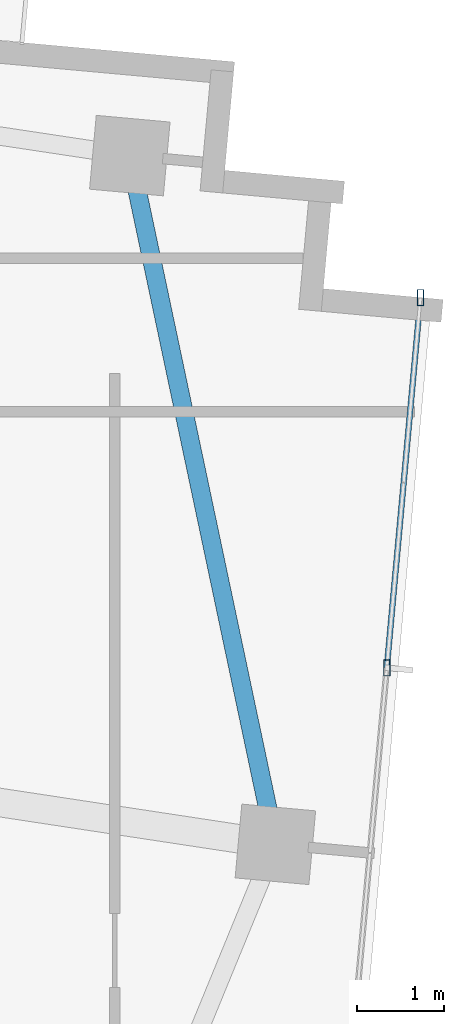
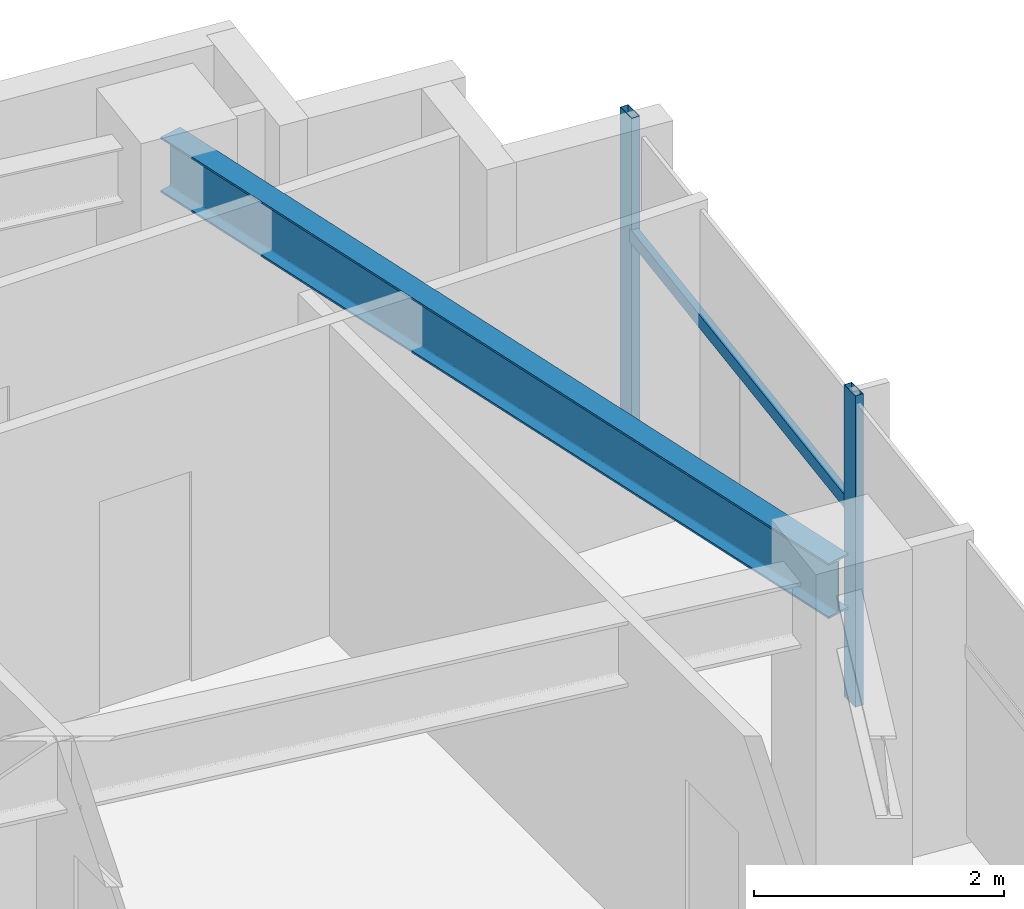
# One storey, part 14 of 22: 3 members, 1 beam, 1 element without a shape of its own.
"""IFC4 building model written with IfcOpenShell, lengths in metres."""

from ifc_helpers import new_model, si_unit, direction, frame, origin, origin_2d, place, context, subcontext, project, spatial, hollow_rectangle, i_section, extrude, source, transform, mapped, material, material_profile, profile_set, type_object, type_shapes, element, aggregate, save


model = new_model("IFC4")

# Units and contexts
model_context = context("Model", 3, precision=1e-05, world=origin(), true_north=direction((0.0, 1.0)))
body_context = subcontext(model_context, "Body", "Model", "MODEL_VIEW")
ifc_project = project(units=[si_unit("LENGTHUNIT", "METRE"), si_unit("AREAUNIT", "SQUARE_METRE"), si_unit("VOLUMEUNIT", "CUBIC_METRE"), si_unit("PLANEANGLEUNIT", "RADIAN"), si_unit("MASSUNIT", "GRAM", prefix="KILO")], contexts=[model_context])

# Site, building, storey
site_placement = place(None, origin())
site = spatial("IfcSite", under=ifc_project, at=site_placement, CompositionType="ELEMENT")
building_placement = place(site_placement, origin())
building = spatial("IfcBuilding", under=site, at=building_placement, Name="Astriad Promenade Condominiums", CompositionType="ELEMENT")
storey_placement = place(building_placement, frame((0.0, 0.0, 226.5)))
storey = spatial("IfcBuildingStorey", under=building, at=storey_placement, Name="L65", CompositionType="ELEMENT", Elevation=226.5)

# Beam
ifc_material_1 = material(Name="Steel ASTM A992 Grade 50", Category="steel")
ifc_material_profile_1 = material_profile(ifc_material_1, i_section(OverallWidth=0.210693359375, OverallDepth=0.53955078125, WebThickness=0.01171875, FlangeThickness=0.018798828125, FilletRadius=0.0166015625, at=origin_2d()), Name="W21X73")
ifc_profile_set_1 = profile_set([ifc_material_profile_1], Name="Steel ASTM A992 Grade 50")
beam_type = type_object("IfcBeamType", Name="STEEL SPANDREL BEAM W21X73", PredefinedType="SPANDREL", material=ifc_profile_set_1)
shared_shape_1 = source(origin(), body_context, "Body", "SweptSolid", [
    extrude(i_section(OverallWidth=0.210693359375, OverallDepth=0.53955078125, WebThickness=0.01171875, FlangeThickness=0.018798828125, FilletRadius=0.0166015625, at=origin_2d()), origin(), (0.0, 0.0, 1.0), 7.99853515625),
])
type_shapes(beam_type, [shared_shape_1])
beam_placement = place(storey_placement, frame((54.88037109375, 16.02880859375, 2.770263671875), z_axis=(-0.20676418926, 0.978390806396, 0.0), x_axis=(-0.978390806396, -0.20676418926, 0.0)))
element("IfcBeam", 1, at=beam_placement, inside=storey, type_object=beam_type, Name="Perimeter Spandrel Beam SP-E2-L65", PredefinedType="SPANDREL", context=body_context, shape_type="MappedRepresentation", body=[
    mapped(shared_shape_1, transform((0.0, 0.0, 0.0), scale=1.0)),
])

# Curtain wall, members
ifc_material_2 = material(Name="Anodised aluminium Black Dark Glass Unitised", Category="aluminium")
curtain_wall_type = type_object("IfcCurtainWallType", Name="CW-B5-DARK", PredefinedType="USERDEFINED", material=ifc_material_2)
curtain_wall_placement = place(storey_placement, origin())
curtain_wall = element("IfcCurtainWall", 2, at=curtain_wall_placement, inside=storey, type_object=curtain_wall_type, Name="CW-L65-E", ObjectType="UNITISED_CURTAIN_WALL", PredefinedType="USERDEFINED")
ifc_material_3 = material(Name="Anodised aluminium 6063-T6 Black", Category="aluminium")
ifc_material_profile_2 = material_profile(ifc_material_3, hollow_rectangle(XDim=0.06494140625, YDim=0.1298828125, WallThickness=0.00390625, at=origin_2d()), Name="ALU-TRN-65X130")
ifc_profile_set_2 = profile_set([ifc_material_profile_2], Name="Anodised aluminium 6063-T6 Black")
member_type_1 = type_object("IfcMemberType", Name="TRN-ALU-TRN-65X130", PredefinedType="USERDEFINED", material=ifc_profile_set_2)
shared_shape_2 = source(origin(), body_context, "Body", "SweptSolid", [
    extrude(hollow_rectangle(XDim=0.06494140625, YDim=0.1298828125, WallThickness=0.00390625, at=origin_2d()), origin(), (0.0, 0.0, 1.0), 4.2666015625),
])
type_shapes(member_type_1, [shared_shape_2])
member_1_placement = place(storey_placement, frame((56.55419921875, 22.2646484375, 1.884765625), z_axis=(-0.090638931954, -0.99588382054, 0.0), x_axis=(0.99588382054, -0.090638931954, 0.0)))
member_1 = element("IfcMember", 3, at=member_1_placement, type_object=member_type_1, Name="CW-L65-E-TRN-00-0", ObjectType="TRANSOM", PredefinedType="USERDEFINED", context=body_context, shape_type="MappedRepresentation", body=[
    mapped(shared_shape_2, transform((0.0, 0.0, 0.0), scale=1.0)),
])
ifc_material_profile_3 = material_profile(ifc_material_3, hollow_rectangle(XDim=0.074951171875, YDim=0.18505859375, WallThickness=0.00439453125, at=origin_2d()), Name="ALU-MUL-75X185")
ifc_profile_set_3 = profile_set([ifc_material_profile_3], Name="Anodised aluminium 6063-T6 Black")
member_type_2 = type_object("IfcMemberType", Name="MUL-ALU-MUL-75X185", PredefinedType="MULLION", material=ifc_profile_set_3)
shared_shape_3 = source(origin(), body_context, "Body", "SweptSolid", [
    extrude(hollow_rectangle(XDim=0.074951171875, YDim=0.18505859375, WallThickness=0.00439453125, at=origin_2d()), origin(), (0.0, 0.0, 1.0), 3.0400390625),
])
type_shapes(member_type_2, [shared_shape_3])
member_2_placement = place(storey_placement, frame((56.55419921875, 22.2646484375, 0.0), z_axis=(0.0, 0.0, 1.0), x_axis=(1.0, 0.0, 0.0)))
member_2 = element("IfcMember", 4, at=member_2_placement, type_object=member_type_2, Name="CW-L65-E-MUL-00", PredefinedType="MULLION", context=body_context, shape_type="MappedRepresentation", body=[
    mapped(shared_shape_3, transform((0.0, 0.0, 0.0), scale=1.0)),
])
member_3_placement = place(storey_placement, frame((56.16748046875, 18.015625, 0.0), z_axis=(0.0, 0.0, 1.0), x_axis=(1.0, 0.0, 0.0)))
member_3 = element("IfcMember", 5, at=member_3_placement, type_object=member_type_2, Name="CW-L65-E-MUL-01", PredefinedType="MULLION", context=body_context, shape_type="MappedRepresentation", body=[
    mapped(shared_shape_3, transform((0.0, 0.0, 0.0), scale=1.0)),
])
aggregate(curtain_wall, [member_2, member_3, member_1])

save(model, "model.ifc")
